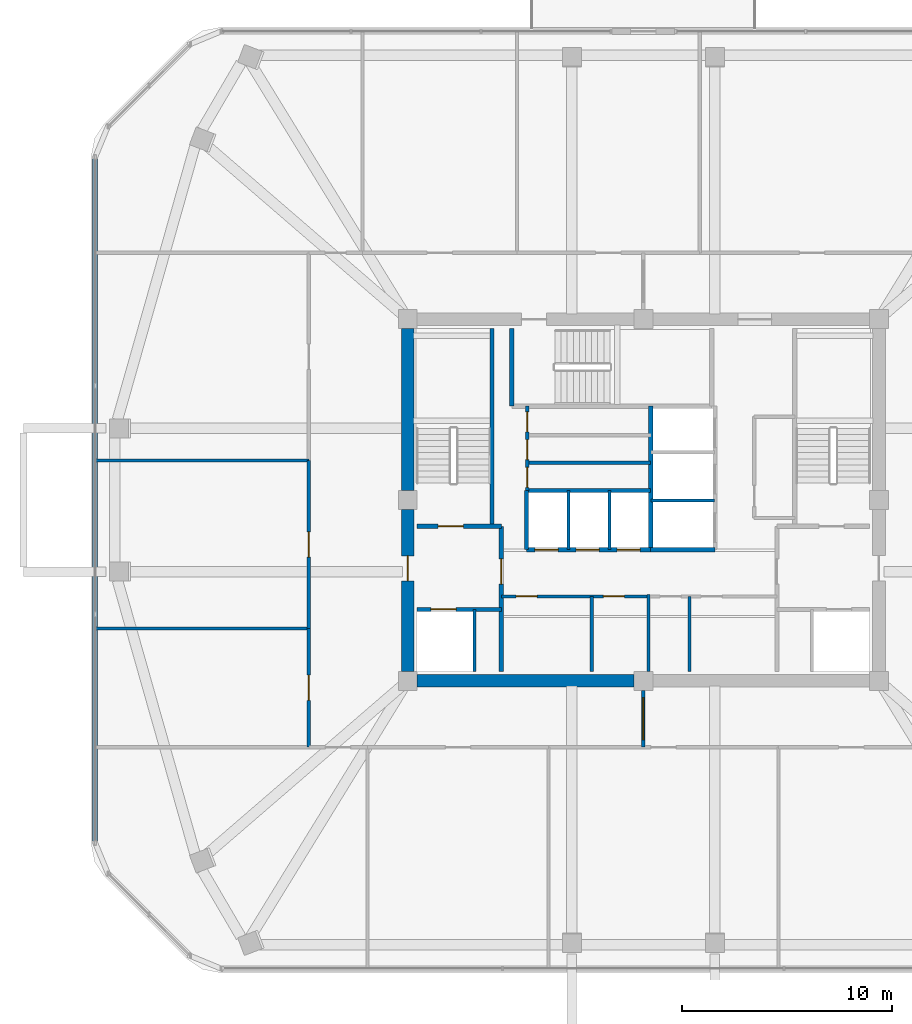
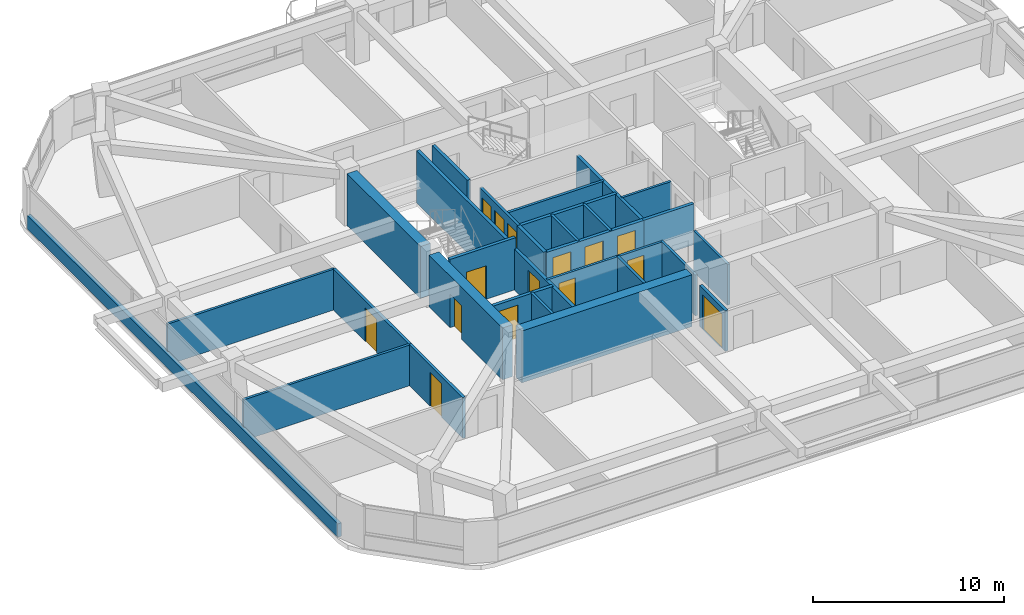
# One storey, part 9 of 14: 29 walls, 15 doors, 15 openings.
"""IFC4 building model written with IfcOpenShell, lengths in metres."""

from ifc_helpers import new_model, si_unit, derived_unit, direction, frame, frame_2d, origin, place, context, subcontext, project, spatial, rectangle, extrude, material, layer, layer_set, type_object, element, fill, save


model = new_model("IFC4")

# Units and contexts
model_context = context("Model", 3, precision=1e-05, world=origin(), true_north=direction((0.0, 1.0)))
body_context = subcontext(model_context, "Body", "Model", "MODEL_VIEW")
ifc_project = project(units=[si_unit("LENGTHUNIT", "METRE"), si_unit("AREAUNIT", "SQUARE_METRE"), si_unit("VOLUMEUNIT", "CUBIC_METRE"), si_unit("PLANEANGLEUNIT", "RADIAN"), si_unit("MASSUNIT", "GRAM", prefix="KILO"), derived_unit("THERMALTRANSMITTANCEUNIT", [(si_unit("POWERUNIT", "WATT"), 1), (si_unit("LENGTHUNIT", "METRE"), -2), (si_unit("THERMODYNAMICTEMPERATUREUNIT", "KELVIN"), -1)])], contexts=[model_context])

# Site, building, storey
site_placement = place(None, origin())
site = spatial("IfcSite", under=ifc_project, at=site_placement, CompositionType="ELEMENT")
building_placement = place(site_placement, origin())
building = spatial("IfcBuilding", under=site, at=building_placement, Name="Koralith Skygarden Medical Center", CompositionType="ELEMENT")
storey_placement = place(building_placement, frame((0.0, 0.0, 210.780029296875)))
storey = spatial("IfcBuildingStorey", under=building, at=storey_placement, Name="L54", CompositionType="ELEMENT", Elevation=210.780029296875)

# Wall, openings, doors
ifc_material_1 = material(Name="Gypsum Board Partition")
ifc_layer_1 = layer(ifc_material_1, 0.14990234375)
ifc_layer_set_1 = layer_set([ifc_layer_1], Name="Gypsum Board Partition")
wall_type_1 = type_object("IfcWallType", Name="Clinical Acoustic Partition 150", PredefinedType="PARTITIONING", material=ifc_layer_set_1)
wall_1_placement = place(storey_placement, frame((30.25, 21.320068359375, 0.0), z_axis=(0.0, 0.0, 1.0), x_axis=(1.0, 0.0, 0.0)))
wall_1 = element("IfcWall", 1, at=wall_1_placement, inside=storey, type_object=wall_type_1, Name="L54 Clinical Acoustic Partition 150 W-CORE-L54-FREED-LR-N", PredefinedType="PARTITIONING", context=body_context, shape_type="SweptSolid", body=[
    extrude(rectangle(XDim=7.0, YDim=0.14990234375, at=frame_2d((3.5, 0.0))), origin(), (0.0, 0.0, 1.0), 2.60986328125),
])
opening_1_placement = place(wall_1_placement, frame((0.699951171875, 0.0, 0.0)))
opening_1 = element("IfcOpeningElement", 2, at=opening_1_placement, cuts=wall_1, Name="Opening D-SUP", PredefinedType="OPENING", context=body_context, shape_type="SweptSolid", body=[
    extrude(rectangle(XDim=1.0, YDim=2.14990234375, at=frame_2d((0.5, 1.074951171875))), frame((0.0, 0.0849609375, 0.0), z_axis=(0.0, -1.0, 0.0), x_axis=(1.0, 0.0, 0.0)), (0.0, 0.0, 1.0), 0.169921875),
])
opening_2_placement = place(wall_1_placement, frame((4.85009765625, 0.0, 0.0)))
opening_2 = element("IfcOpeningElement", 3, at=opening_2_placement, cuts=wall_1, Name="Opening D-SUP", PredefinedType="OPENING", context=body_context, shape_type="SweptSolid", body=[
    extrude(rectangle(XDim=1.0, YDim=2.14990234375, at=frame_2d((0.5, 1.074951171875))), frame((0.0, 0.0849609375, 0.0), z_axis=(0.0, -1.0, 0.0), x_axis=(1.0, 0.0, 0.0)), (0.0, 0.0, 1.0), 0.169921875),
])
ifc_material_2 = material(Name="Aluminium 6063-T6", Category="aluminium")
door_type_1 = type_object("IfcDoorType", Name="Clinical Support Door D-SUP 1000", OperationType="NOTDEFINED", PredefinedType="DOOR", material=ifc_material_2)
door_1_placement = place(opening_1_placement, frame((1.0, 0.0, 0.0), z_axis=(0.0, 0.0, 1.0), x_axis=(-1.0, 0.0, 0.0)))
door_1 = element("IfcDoor", 4, at=door_1_placement, inside=storey, type_object=door_type_1, Name="L54 Medication Preparation Door", OperationType="SINGLE_SWING_LEFT", OverallHeight=2.14990234375, OverallWidth=1.0, PredefinedType="DOOR", context=body_context, shape_type="SweptSolid", body=[
    extrude(rectangle(XDim=1.0, YDim=2.14990234375, at=frame_2d((0.5, 1.074951171875))), frame((0.0, 0.02490234375, 0.0), z_axis=(0.0, -1.0, 0.0), x_axis=(1.0, 0.0, 0.0)), (0.0, 0.0, 1.0), 0.050048828125),
])
fill(opening_1, door_1)
door_2_placement = place(opening_2_placement, frame((1.0, 0.0, 0.0), z_axis=(0.0, 0.0, 1.0), x_axis=(-1.0, 0.0, 0.0)))
door_2 = element("IfcDoor", 5, at=door_2_placement, inside=storey, type_object=door_type_1, Name="L54 Telemetry Room Door", OperationType="SINGLE_SWING_RIGHT", OverallHeight=2.14990234375, OverallWidth=1.0, PredefinedType="DOOR", context=body_context, shape_type="SweptSolid", body=[
    extrude(rectangle(XDim=1.0, YDim=2.14990234375, at=frame_2d((0.5, 1.074951171875))), frame((0.0, 0.02490234375, 0.0), z_axis=(0.0, -1.0, 0.0), x_axis=(1.0, 0.0, 0.0)), (0.0, 0.0, 1.0), 0.050048828125),
])
fill(opening_2, door_2)

# Walls
for number, where, z_axis, x_axis, name in (
    (6, (34.550048828125, 17.75, 0.0), (0.0, 0.0, 1.0), (0.0, 1.0, 0.0), "L54 Clinical Acoustic Partition 150 W-CORE-L54-FREED-LR-M"),
    (7, (39.199951171875, 17.75, 0.0), (0.0, 0.0, 1.0), (0.0, 1.0, 0.0), "L54 Clinical Acoustic Partition 150 W-CORE-L54-FREED-MR-M"),
):
    element("IfcWall", number, at=place(storey_placement, frame(where, z_axis=z_axis, x_axis=x_axis)), inside=storey, type_object=wall_type_1, Name=name, PredefinedType="PARTITIONING", context=body_context, shape_type="SweptSolid", body=[
        extrude(rectangle(XDim=3.570068359375, YDim=0.14990234375, at=frame_2d((1.78515625, 0.0))), origin(), (0.0, 0.0, 1.0), 2.60986328125),
    ])
for number, where, z_axis, x_axis, name in (
    (8, (21.10009765625, 19.7900390625, 0.0), (0.0, 0.0, 1.0), (-1.0, 0.0, 0.0), "L54 Clinical Acoustic Partition 150 W-PART-L54-W-01"),
    (9, (21.10009765625, 27.780029296875, 0.0), (0.0, 0.0, 1.0), (-1.0, 0.0, 0.0), "L54 Clinical Acoustic Partition 150 W-PART-L54-W-02"),
):
    element("IfcWall", number, at=place(storey_placement, frame(where, z_axis=z_axis, x_axis=x_axis)), inside=storey, type_object=wall_type_1, Name=name, PredefinedType="PARTITIONING", context=body_context, shape_type="SweptSolid", body=[
        extrude(rectangle(XDim=10.135009765625, YDim=0.14990234375, at=frame_2d((5.0673828125, 0.0))), origin(), (0.0, 0.0, 1.0), 2.60986328125),
    ])

# Wall, opening, door
ifc_layer_2 = layer(ifc_material_1, 0.1650390625)
ifc_layer_set_2 = layer_set([ifc_layer_2], Name="Gypsum Board Partition")
wall_type_2 = type_object("IfcWallType", Name="Clinical Corridor Partition 165", PredefinedType="PARTITIONING", material=ifc_layer_set_2)
wall_2_placement = place(storey_placement, frame((21.10009765625, 14.14990234375, 0.0), z_axis=(0.0, 0.0, 1.0), x_axis=(0.0, 1.0, 0.0)))
wall_2 = element("IfcWall", 10, at=wall_2_placement, inside=storey, type_object=wall_type_2, Name="L54 Clinical Corridor Partition 165 W-CORR-L54-W-01", PredefinedType="PARTITIONING", context=body_context, shape_type="SweptSolid", body=[
    extrude(rectangle(XDim=5.64013671875, YDim=0.1650390625, at=frame_2d((2.820068359375, 0.0))), origin(), (0.0, 0.0, 1.0), 2.60986328125),
])
opening_3_placement = place(wall_2_placement, frame((2.219970703125, 0.0, 0.0)))
opening_3 = element("IfcOpeningElement", 11, at=opening_3_placement, cuts=wall_2, Name="Opening D-CLN", PredefinedType="OPENING", context=body_context, shape_type="SweptSolid", body=[
    extrude(rectangle(XDim=1.199951171875, YDim=2.14990234375, at=frame_2d((0.60009765625, 1.074951171875))), frame((0.0, 0.092529296875, 0.0), z_axis=(0.0, -1.0, 0.0), x_axis=(1.0, 0.0, 0.0)), (0.0, 0.0, 1.0), 0.18505859375),
])
door_type_2 = type_object("IfcDoorType", Name="Clinical Corridor Door D-CLN 1200", OperationType="NOTDEFINED", PredefinedType="DOOR", material=ifc_material_2)
door_3_placement = place(opening_3_placement, frame((1.199951171875, 0.0, 0.0), z_axis=(0.0, 0.0, 1.0), x_axis=(-1.0, 0.0, 0.0)))
door_3 = element("IfcDoor", 12, at=door_3_placement, inside=storey, type_object=door_type_2, Name="L54 Sterile Catheter Supply Store 11 Door", OperationType="SINGLE_SWING_RIGHT", OverallHeight=2.14990234375, OverallWidth=1.199951171875, PredefinedType="DOOR", context=body_context, shape_type="SweptSolid", body=[
    extrude(rectangle(XDim=1.199951171875, YDim=2.14990234375, at=frame_2d((0.60009765625, 1.074951171875))), frame((0.0, 0.02490234375, 0.0), z_axis=(0.0, -1.0, 0.0), x_axis=(1.0, 0.0, 0.0)), (0.0, 0.0, 1.0), 0.050048828125),
])
fill(opening_3, door_3)

wall_3_placement = place(storey_placement, frame((21.10009765625, 19.7900390625, 0.0), z_axis=(0.0, 0.0, 1.0), x_axis=(0.0, 1.0, 0.0)))
wall_3 = element("IfcWall", 13, at=wall_3_placement, inside=storey, type_object=wall_type_2, Name="L54 Clinical Corridor Partition 165 W-CORR-L54-W-02", PredefinedType="PARTITIONING", context=body_context, shape_type="SweptSolid", body=[
    extrude(rectangle(XDim=7.989990234375, YDim=0.1650390625, at=frame_2d((3.9951171875, 0.0))), origin(), (0.0, 0.0, 1.0), 2.60986328125),
])
opening_4_placement = place(wall_3_placement, frame((3.39501953125, 0.0, 0.0)))
opening_4 = element("IfcOpeningElement", 14, at=opening_4_placement, cuts=wall_3, Name="Opening D-CLN", PredefinedType="OPENING", context=body_context, shape_type="SweptSolid", body=[
    extrude(rectangle(XDim=1.199951171875, YDim=2.14990234375, at=frame_2d((0.60009765625, 1.074951171875))), frame((0.0, 0.092529296875, 0.0), z_axis=(0.0, -1.0, 0.0), x_axis=(1.0, 0.0, 0.0)), (0.0, 0.0, 1.0), 0.18505859375),
])
door_4_placement = place(opening_4_placement, frame((1.199951171875, 0.0, 0.0), z_axis=(0.0, 0.0, 1.0), x_axis=(-1.0, 0.0, 0.0)))
door_4 = element("IfcDoor", 15, at=door_4_placement, inside=storey, type_object=door_type_2, Name="L54 Clinical Trials Huddle Room 12 Door", OperationType="SINGLE_SWING_LEFT", OverallHeight=2.14990234375, OverallWidth=1.199951171875, PredefinedType="DOOR", context=body_context, shape_type="SweptSolid", body=[
    extrude(rectangle(XDim=1.199951171875, YDim=2.14990234375, at=frame_2d((0.60009765625, 1.074951171875))), frame((0.0, 0.02490234375, 0.0), z_axis=(0.0, -1.0, 0.0), x_axis=(1.0, 0.0, 0.0)), (0.0, 0.0, 1.0), 0.050048828125),
])
fill(opening_4, door_4)

ifc_layer_3 = layer(ifc_material_1, 0.199951171875)
ifc_layer_set_3 = layer_set([ifc_layer_3], Name="Gypsum Board Partition")
wall_type_3 = type_object("IfcWallType", Name="Fire Shaft Wall 200", PredefinedType="SOLIDWALL", material=ifc_layer_set_3)
wall_4_placement = place(storey_placement, frame((26.25, 20.699951171875, 0.0), z_axis=(0.0, 0.0, 1.0), x_axis=(1.0, 0.0, 0.0)))
wall_4 = element("IfcWall", 16, at=wall_4_placement, inside=storey, type_object=wall_type_3, Name="L54 Fire Shaft Wall 200 W-CORE-L54-FF1-N", PredefinedType="SOLIDWALL", context=body_context, shape_type="SweptSolid", body=[
    extrude(rectangle(XDim=4.0, YDim=0.199951171875, at=frame_2d((2.0, 0.0))), origin(), (0.0, 0.0, 1.0), 2.60986328125),
])
opening_5_placement = place(wall_4_placement, frame((0.64990234375, 0.0, 0.0)))
opening_5 = element("IfcOpeningElement", 17, at=opening_5_placement, cuts=wall_4, Name="Opening LD-FF", PredefinedType="OPENING", context=body_context, shape_type="SweptSolid", body=[
    extrude(rectangle(XDim=1.199951171875, YDim=2.14990234375, at=frame_2d((0.60009765625, 1.074951171875))), frame((0.0, 0.10986328125, 0.0), z_axis=(0.0, -1.0, 0.0), x_axis=(1.0, 0.0, 0.0)), (0.0, 0.0, 1.0), 0.219970703125),
])
ifc_material_3 = material(Name="Steel ASTM A500 Grade C", Category="steel")
door_type_3 = type_object("IfcDoorType", Name="Fire Lift Sliding Landing Door LD-FF 1200", OperationType="NOTDEFINED", PredefinedType="DOOR", material=ifc_material_3)
door_5_placement = place(opening_5_placement, origin())
door_5 = element("IfcDoor", 18, at=door_5_placement, inside=storey, type_object=door_type_3, Name="L54 Fire Service Elevator FF1 Landing Door", OperationType="SLIDING_TO_LEFT", OverallHeight=2.14990234375, OverallWidth=1.199951171875, PredefinedType="DOOR", context=body_context, shape_type="SweptSolid", body=[
    extrude(rectangle(XDim=1.199951171875, YDim=2.14990234375, at=frame_2d((0.60009765625, 1.074951171875))), frame((0.0, 0.02490234375, 0.0), z_axis=(0.0, -1.0, 0.0), x_axis=(1.0, 0.0, 0.0)), (0.0, 0.0, 1.0), 0.050048828125),
])
fill(opening_5, door_5)

wall_5_placement = place(storey_placement, frame((30.25, 17.75, 0.0), z_axis=(0.0, 0.0, 1.0), x_axis=(0.0, 1.0, 0.0)))
wall_5 = element("IfcWall", 19, at=wall_5_placement, inside=storey, type_object=wall_type_3, Name="L54 Fire Shaft Wall 200 W-CORE-L54-FSAEW-E", PredefinedType="SOLIDWALL", context=body_context, shape_type="SweptSolid", body=[
    extrude(rectangle(XDim=6.89990234375, YDim=0.199951171875, at=frame_2d((3.449951171875, 0.0))), origin(), (0.0, 0.0, 1.0), 2.60986328125),
])
opening_6_placement = place(wall_5_placement, frame((4.14990234375, 0.0, 0.0)))
opening_6 = element("IfcOpeningElement", 20, at=opening_6_placement, cuts=wall_5, Name="Opening D-ST60", PredefinedType="OPENING", context=body_context, shape_type="SweptSolid", body=[
    extrude(rectangle(XDim=1.199951171875, YDim=2.14990234375, at=frame_2d((0.60009765625, 1.074951171875))), frame((0.0, 0.10986328125, 0.0), z_axis=(0.0, -1.0, 0.0), x_axis=(1.0, 0.0, 0.0)), (0.0, 0.0, 1.0), 0.219970703125),
])
door_type_4 = type_object("IfcDoorType", Name="Smokeproof Stair Fire Door FD60S 1200", OperationType="NOTDEFINED", PredefinedType="DOOR", material=ifc_material_3)
door_6_placement = place(opening_6_placement, origin())
door_6 = element("IfcDoor", 21, at=door_6_placement, inside=storey, type_object=door_type_4, Name="L54 West Firefighting Lobby Inner Fire Door", OperationType="SINGLE_SWING_LEFT", OverallHeight=2.14990234375, OverallWidth=1.199951171875, PredefinedType="DOOR", context=body_context, shape_type="SweptSolid", body=[
    extrude(rectangle(XDim=1.199951171875, YDim=2.14990234375, at=frame_2d((0.60009765625, 1.074951171875))), frame((0.0, 0.02490234375, 0.0), z_axis=(0.0, -1.0, 0.0), x_axis=(1.0, 0.0, 0.0)), (0.0, 0.0, 1.0), 0.050048828125),
])
fill(opening_6, door_6)

# Wall, openings, doors
wall_6_placement = place(storey_placement, frame((31.449951171875, 23.5400390625, 0.0), z_axis=(0.0, 0.0, 1.0), x_axis=(1.0, 0.0, 0.0)))
wall_6 = element("IfcWall", 22, at=wall_6_placement, inside=storey, type_object=wall_type_3, Name="L54 Fire Shaft Wall 200 W-CORE-L54-PH-S", PredefinedType="SOLIDWALL", context=body_context, shape_type="SweptSolid", body=[
    extrude(rectangle(XDim=5.900146484375, YDim=0.199951171875, at=frame_2d((2.9501953125, 0.0))), origin(), (0.0, 0.0, 1.0), 2.60986328125),
])
opening_7_placement = place(wall_6_placement, frame((0.39990234375, 0.0, 0.0)))
opening_7 = element("IfcOpeningElement", 23, at=opening_7_placement, cuts=wall_6, Name="Opening LD-P", PredefinedType="OPENING", context=body_context, shape_type="SweptSolid", body=[
    extrude(rectangle(XDim=1.10009765625, YDim=2.14990234375, at=frame_2d((0.550048828125, 1.074951171875))), frame((0.0, 0.10986328125, 0.0), z_axis=(0.0, -1.0, 0.0), x_axis=(1.0, 0.0, 0.0)), (0.0, 0.0, 1.0), 0.219970703125),
])
opening_8_placement = place(wall_6_placement, frame((2.35009765625, 0.0, 0.0)))
opening_8 = element("IfcOpeningElement", 24, at=opening_8_placement, cuts=wall_6, Name="Opening LD-P", PredefinedType="OPENING", context=body_context, shape_type="SweptSolid", body=[
    extrude(rectangle(XDim=1.10009765625, YDim=2.14990234375, at=frame_2d((0.550048828125, 1.074951171875))), frame((0.0, 0.10986328125, 0.0), z_axis=(0.0, -1.0, 0.0), x_axis=(1.0, 0.0, 0.0)), (0.0, 0.0, 1.0), 0.219970703125),
])
opening_9_placement = place(wall_6_placement, frame((4.300048828125, 0.0, 0.0)))
opening_9 = element("IfcOpeningElement", 25, at=opening_9_placement, cuts=wall_6, Name="Opening LD-P", PredefinedType="OPENING", context=body_context, shape_type="SweptSolid", body=[
    extrude(rectangle(XDim=1.10009765625, YDim=2.14990234375, at=frame_2d((0.550048828125, 1.074951171875))), frame((0.0, 0.10986328125, 0.0), z_axis=(0.0, -1.0, 0.0), x_axis=(1.0, 0.0, 0.0)), (0.0, 0.0, 1.0), 0.219970703125),
])
door_type_5 = type_object("IfcDoorType", Name="Passenger Lift Sliding Landing Door LD-P 1100", OperationType="NOTDEFINED", PredefinedType="DOOR", material=ifc_material_3)
door_7_placement = place(opening_7_placement, origin())
door_7 = element("IfcDoor", 26, at=door_7_placement, inside=storey, type_object=door_type_5, Name="L54 Passenger Elevator PH1 Landing Door", OperationType="SLIDING_TO_RIGHT", OverallHeight=2.14990234375, OverallWidth=1.10009765625, PredefinedType="DOOR", context=body_context, shape_type="SweptSolid", body=[
    extrude(rectangle(XDim=1.10009765625, YDim=2.14990234375, at=frame_2d((0.550048828125, 1.074951171875))), frame((0.0, 0.02490234375, 0.0), z_axis=(0.0, -1.0, 0.0), x_axis=(1.0, 0.0, 0.0)), (0.0, 0.0, 1.0), 0.050048828125),
])
fill(opening_7, door_7)
door_8_placement = place(opening_8_placement, origin())
door_8 = element("IfcDoor", 27, at=door_8_placement, inside=storey, type_object=door_type_5, Name="L54 Passenger Elevator PH2 Landing Door", OperationType="SLIDING_TO_RIGHT", OverallHeight=2.14990234375, OverallWidth=1.10009765625, PredefinedType="DOOR", context=body_context, shape_type="SweptSolid", body=[
    extrude(rectangle(XDim=1.10009765625, YDim=2.14990234375, at=frame_2d((0.550048828125, 1.074951171875))), frame((0.0, 0.02490234375, 0.0), z_axis=(0.0, -1.0, 0.0), x_axis=(1.0, 0.0, 0.0)), (0.0, 0.0, 1.0), 0.050048828125),
])
fill(opening_8, door_8)
door_9_placement = place(opening_9_placement, origin())
door_9 = element("IfcDoor", 28, at=door_9_placement, inside=storey, type_object=door_type_5, Name="L54 Passenger Elevator PH3 Landing Door", OperationType="SLIDING_TO_RIGHT", OverallHeight=2.14990234375, OverallWidth=1.10009765625, PredefinedType="DOOR", context=body_context, shape_type="SweptSolid", body=[
    extrude(rectangle(XDim=1.10009765625, YDim=2.14990234375, at=frame_2d((0.550048828125, 1.074951171875))), frame((0.0, 0.02490234375, 0.0), z_axis=(0.0, -1.0, 0.0), x_axis=(1.0, 0.0, 0.0)), (0.0, 0.0, 1.0), 0.050048828125),
])
fill(opening_9, door_9)

# Walls
wall_7_placement = place(storey_placement, frame((31.449951171875, 26.35009765625, 0.0), z_axis=(0.0, 0.0, 1.0), x_axis=(1.0, 0.0, 0.0)))
element("IfcWall", 29, at=wall_7_placement, inside=storey, type_object=wall_type_3, Name="L54 Fire Shaft Wall 200 W-CORE-L54-PH-N", PredefinedType="SOLIDWALL", context=body_context, shape_type="SweptSolid", body=[
    extrude(rectangle(XDim=5.900146484375, YDim=0.199951171875, at=frame_2d((2.9501953125, 0.0))), origin(), (0.0, 0.0, 1.0), 2.60986328125),
])
wall_8_placement = place(storey_placement, frame((31.449951171875, 23.5400390625, 0.0), z_axis=(0.0, 0.0, 1.0), x_axis=(0.0, 1.0, 0.0)))
element("IfcWall", 30, at=wall_8_placement, inside=storey, type_object=wall_type_3, Name="L54 Fire Shaft Wall 200 W-CORE-L54-PH-W", PredefinedType="SOLIDWALL", context=body_context, shape_type="SweptSolid", body=[
    extrude(rectangle(XDim=2.81005859375, YDim=0.199951171875, at=frame_2d((1.405029296875, 0.0))), origin(), (0.0, 0.0, 1.0), 2.60986328125),
])
wall_9_placement = place(storey_placement, frame((37.35009765625, 23.5400390625, 0.0), z_axis=(0.0, 0.0, 1.0), x_axis=(0.0, 1.0, 0.0)))
element("IfcWall", 31, at=wall_9_placement, inside=storey, type_object=wall_type_3, Name="L54 Fire Shaft Wall 200 W-CORE-L54-SV-W", PredefinedType="SOLIDWALL", context=body_context, shape_type="SweptSolid", body=[
    extrude(rectangle(XDim=6.820068359375, YDim=0.199951171875, at=frame_2d((3.41015625, 0.0))), origin(), (0.0, 0.0, 1.0), 2.60986328125),
])
wall_10_placement = place(storey_placement, frame((37.35009765625, 23.5400390625, 0.0), z_axis=(0.0, 0.0, 1.0), x_axis=(1.0, 0.0, 0.0)))
element("IfcWall", 32, at=wall_10_placement, inside=storey, type_object=wall_type_3, Name="L54 Fire Shaft Wall 200 W-CORE-L54-SV-S", PredefinedType="SOLIDWALL", context=body_context, shape_type="SweptSolid", body=[
    extrude(rectangle(XDim=3.0498046875, YDim=0.199951171875, at=frame_2d((1.52490234375, 0.0))), origin(), (0.0, 0.0, 1.0), 2.60986328125),
])

# Wall, opening, door
ifc_layer_4 = layer(ifc_material_1, 0.179931640625)
ifc_layer_set_4 = layer_set([ifc_layer_4], Name="Gypsum Board Partition")
wall_type_4 = type_object("IfcWallType", Name="Group I-2 Smoke Barrier Wall 180", PredefinedType="PARTITIONING", material=ifc_layer_set_4)
wall_11_placement = place(storey_placement, frame((37.0, 14.14990234375, 0.0), z_axis=(0.0, 0.0, 1.0), x_axis=(0.0, 1.0, 0.0)))
wall_11 = element("IfcWall", 33, at=wall_11_placement, inside=storey, type_object=wall_type_4, Name="L54 Group I-2 Smoke Barrier Wall 180 W-SMK-L54-S", PredefinedType="PARTITIONING", context=body_context, shape_type="SweptSolid", body=[
    extrude(rectangle(XDim=2.7001953125, YDim=0.179931640625, at=frame_2d((1.35009765625, 0.0))), origin(), (0.0, 0.0, 1.0), 2.60986328125),
])
opening_10_placement = place(wall_11_placement, frame((0.35009765625, 0.0, 0.0)))
opening_10 = element("IfcOpeningElement", 34, at=opening_10_placement, cuts=wall_11, Name="Opening D-SMK", PredefinedType="OPENING", context=body_context, shape_type="SweptSolid", body=[
    extrude(rectangle(XDim=2.0, YDim=2.199951171875, at=frame_2d((1.0, 1.10009765625))), frame((0.0, 0.099853515625, 0.0), z_axis=(0.0, -1.0, 0.0), x_axis=(1.0, 0.0, 0.0)), (0.0, 0.0, 1.0), 0.199951171875),
])
door_type_6 = type_object("IfcDoorType", Name="Cross-Corridor Double Smoke Door FD60S 2000", OperationType="NOTDEFINED", PredefinedType="DOOR", material=ifc_material_3)
door_10_placement = place(opening_10_placement, frame((2.0, 0.0, 0.0), z_axis=(0.0, 0.0, 1.0), x_axis=(-1.0, 0.0, 0.0)))
door_10 = element("IfcDoor", 35, at=door_10_placement, inside=storey, type_object=door_type_6, Name="L54 S Smoke Compartment Cross-Corridor Door", OperationType="DOUBLE_DOOR_SINGLE_SWING", OverallHeight=2.199951171875, OverallWidth=2.0, PredefinedType="DOOR", context=body_context, shape_type="SweptSolid", body=[
    extrude(rectangle(XDim=2.0, YDim=2.199951171875, at=frame_2d((1.0, 1.10009765625))), frame((0.0, 0.02490234375, 0.0), z_axis=(0.0, -1.0, 0.0), x_axis=(1.0, 0.0, 0.0)), (0.0, 0.0, 1.0), 0.050048828125),
])
fill(opening_10, door_10)

# Wall
ifc_material_4 = material(Name="Warm Oolitic Limestone Cladding", Category="masonry")
ifc_layer_5 = layer(ifc_material_4, 0.239990234375)
ifc_layer_set_5 = layer_set([ifc_layer_5], Name="Warm Oolitic Limestone Cladding")
wall_type_5 = type_object("IfcWallType", Name="Limestone Spandrel Sill Backup Wall 240", PredefinedType="SOLIDWALL", material=ifc_layer_set_5)
wall_12_placement = place(storey_placement, frame((10.945068359375, 42.197998046875, 0.0), z_axis=(0.0, 0.0, 1.0), x_axis=(0.0, -1.0, 0.0)))
element("IfcWall", 36, at=wall_12_placement, inside=storey, type_object=wall_type_5, Name="L54 Sill Spandrel W", PredefinedType="SOLIDWALL", context=body_context, shape_type="SweptSolid", body=[
    extrude(rectangle(XDim=32.595947265625, YDim=0.239990234375, at=frame_2d((16.2978515625, 0.0))), origin(), (0.0, 0.0, 1.0), 0.849853515625),
])

# Wall, openings, doors
ifc_layer_6 = layer(ifc_material_1, 0.1650390625)
ifc_layer_set_6 = layer_set([ifc_layer_6], Name="Gypsum Board Partition")
wall_type_6 = type_object("IfcWallType", Name="Plumbing Wet Wall 165", PredefinedType="PLUMBINGWALL", material=ifc_layer_set_6)
wall_13_placement = place(storey_placement, frame((31.47998046875, 26.320068359375, 0.0), z_axis=(0.0, 0.0, 1.0), x_axis=(0.0, 1.0, 0.0)))
wall_13 = element("IfcWall", 37, at=wall_13_placement, inside=storey, type_object=wall_type_6, Name="L54 Plumbing Wet Wall 165 W-CORE-L54-FLEX-W", PredefinedType="PLUMBINGWALL", context=body_context, shape_type="SweptSolid", body=[
    extrude(rectangle(XDim=4.0400390625, YDim=0.1650390625, at=frame_2d((2.02001953125, 0.0))), origin(), (0.0, 0.0, 1.0), 2.60986328125),
])
opening_11_placement = place(wall_13_placement, frame((0.179931640625, 0.0, 0.0)))
opening_11 = element("IfcOpeningElement", 38, at=opening_11_placement, cuts=wall_13, Name="Opening D-WC", PredefinedType="OPENING", context=body_context, shape_type="SweptSolid", body=[
    extrude(rectangle(XDim=0.949951171875, YDim=2.10009765625, at=frame_2d((0.47509765625, 1.050048828125))), frame((0.0, 0.092529296875, 0.0), z_axis=(0.0, -1.0, 0.0), x_axis=(1.0, 0.0, 0.0)), (0.0, 0.0, 1.0), 0.18505859375),
])
opening_12_placement = place(wall_13_placement, frame((1.5, 0.0, 0.0)))
opening_12 = element("IfcOpeningElement", 39, at=opening_12_placement, cuts=wall_13, Name="Opening D-WC", PredefinedType="OPENING", context=body_context, shape_type="SweptSolid", body=[
    extrude(rectangle(XDim=0.949951171875, YDim=2.10009765625, at=frame_2d((0.47509765625, 1.050048828125))), frame((0.0, 0.092529296875, 0.0), z_axis=(0.0, -1.0, 0.0), x_axis=(1.0, 0.0, 0.0)), (0.0, 0.0, 1.0), 0.18505859375),
])
opening_13_placement = place(wall_13_placement, frame((2.820068359375, 0.0, 0.0)))
opening_13 = element("IfcOpeningElement", 40, at=opening_13_placement, cuts=wall_13, Name="Opening D-WC", PredefinedType="OPENING", context=body_context, shape_type="SweptSolid", body=[
    extrude(rectangle(XDim=0.949951171875, YDim=2.10009765625, at=frame_2d((0.47509765625, 1.050048828125))), frame((0.0, 0.092529296875, 0.0), z_axis=(0.0, -1.0, 0.0), x_axis=(1.0, 0.0, 0.0)), (0.0, 0.0, 1.0), 0.18505859375),
])
door_type_7 = type_object("IfcDoorType", Name="Accessible Toilet Door D-WC 950", OperationType="NOTDEFINED", PredefinedType="DOOR", material=ifc_material_2)
door_11_placement = place(opening_11_placement, frame((0.949951171875, 0.0, 0.0), z_axis=(0.0, 0.0, 1.0), x_axis=(-1.0, 0.0, 0.0)))
door_11 = element("IfcDoor", 41, at=door_11_placement, inside=storey, type_object=door_type_7, Name="L54 Core Accessible WC Door", OperationType="SINGLE_SWING_LEFT", OverallHeight=2.10009765625, OverallWidth=0.949951171875, PredefinedType="DOOR", context=body_context, shape_type="SweptSolid", body=[
    extrude(rectangle(XDim=0.949951171875, YDim=2.10009765625, at=frame_2d((0.47509765625, 1.050048828125))), frame((0.0, 0.02490234375, 0.0), z_axis=(0.0, -1.0, 0.0), x_axis=(1.0, 0.0, 0.0)), (0.0, 0.0, 1.0), 0.050048828125),
])
fill(opening_11, door_11)
door_12_placement = place(opening_12_placement, frame((0.949951171875, 0.0, 0.0), z_axis=(0.0, 0.0, 1.0), x_axis=(-1.0, 0.0, 0.0)))
door_12 = element("IfcDoor", 42, at=door_12_placement, inside=storey, type_object=door_type_7, Name="L54 Staff Pantry Door", OperationType="SINGLE_SWING_LEFT", OverallHeight=2.10009765625, OverallWidth=0.949951171875, PredefinedType="DOOR", context=body_context, shape_type="SweptSolid", body=[
    extrude(rectangle(XDim=0.949951171875, YDim=2.10009765625, at=frame_2d((0.47509765625, 1.050048828125))), frame((0.0, 0.02490234375, 0.0), z_axis=(0.0, -1.0, 0.0), x_axis=(1.0, 0.0, 0.0)), (0.0, 0.0, 1.0), 0.050048828125),
])
fill(opening_12, door_12)
door_13_placement = place(opening_13_placement, frame((0.949951171875, 0.0, 0.0), z_axis=(0.0, 0.0, 1.0), x_axis=(-1.0, 0.0, 0.0)))
door_13 = element("IfcDoor", 43, at=door_13_placement, inside=storey, type_object=door_type_7, Name="L54 IT Comms Door", OperationType="SINGLE_SWING_RIGHT", OverallHeight=2.10009765625, OverallWidth=0.949951171875, PredefinedType="DOOR", context=body_context, shape_type="SweptSolid", body=[
    extrude(rectangle(XDim=0.949951171875, YDim=2.10009765625, at=frame_2d((0.47509765625, 1.050048828125))), frame((0.0, 0.02490234375, 0.0), z_axis=(0.0, -1.0, 0.0), x_axis=(1.0, 0.0, 0.0)), (0.0, 0.0, 1.0), 0.050048828125),
])
fill(opening_13, door_13)

# Walls
wall_14_placement = place(storey_placement, frame((31.47998046875, 27.679931640625, 0.0), z_axis=(0.0, 0.0, 1.0), x_axis=(1.0, 0.0, 0.0)))
element("IfcWall", 44, at=wall_14_placement, inside=storey, type_object=wall_type_6, Name="L54 Plumbing Wet Wall 165 W-CORE-L54-FLEX-H1A", PredefinedType="PLUMBINGWALL", context=body_context, shape_type="SweptSolid", body=[
    extrude(rectangle(XDim=5.8701171875, YDim=0.1650390625, at=frame_2d((2.93505859375, 0.0))), origin(), (0.0, 0.0, 1.0), 2.60986328125),
])
ifc_layer_7 = layer(ifc_material_1, 0.14990234375)
ifc_layer_set_7 = layer_set([ifc_layer_7], Name="Gypsum Board Partition")
wall_type_7 = type_object("IfcWallType", Name="Shaft Partition Wall 150", PredefinedType="PARTITIONING", material=ifc_layer_set_7)
wall_15_placement = place(storey_placement, frame((28.969970703125, 17.75, 0.0), z_axis=(0.0, 0.0, 1.0), x_axis=(0.0, 1.0, 0.0)))
element("IfcWall", 45, at=wall_15_placement, inside=storey, type_object=wall_type_7, Name="L54 Shaft Partition Wall 150 W-CORE-L54-RSRW-DIV", PredefinedType="PARTITIONING", context=body_context, shape_type="SweptSolid", body=[
    extrude(rectangle(XDim=2.949951171875, YDim=0.14990234375, at=frame_2d((1.47509765625, 0.0))), origin(), (0.0, 0.0, 1.0), 2.60986328125),
])
wall_16_placement = place(storey_placement, frame((37.25, 17.75, 0.0), z_axis=(0.0, 0.0, 1.0), x_axis=(0.0, 1.0, 0.0)))
element("IfcWall", 46, at=wall_16_placement, inside=storey, type_object=wall_type_7, Name="L54 Shaft Partition Wall 150 W-CORE-L54-PL-PM-SEP", PredefinedType="PARTITIONING", context=body_context, shape_type="SweptSolid", body=[
    extrude(rectangle(XDim=3.64990234375, YDim=0.14990234375, at=frame_2d((1.824951171875, 0.0))), origin(), (0.0, 0.0, 1.0), 2.60986328125),
])
for number, where, z_axis, x_axis, name in (
    (47, (33.449951171875, 23.5400390625, 0.0), (0.0, 0.0, 1.0), (0.0, 1.0, 0.0), "L54 Shaft Partition Wall 150 W-CORE-L54-PH-D1"),
    (48, (35.39990234375, 23.5400390625, 0.0), (0.0, 0.0, 1.0), (0.0, 1.0, 0.0), "L54 Shaft Partition Wall 150 W-CORE-L54-PH-D2"),
):
    element("IfcWall", number, at=place(storey_placement, frame(where, z_axis=z_axis, x_axis=x_axis)), inside=storey, type_object=wall_type_7, Name=name, PredefinedType="PARTITIONING", context=body_context, shape_type="SweptSolid", body=[
        extrude(rectangle(XDim=2.81005859375, YDim=0.14990234375, at=frame_2d((1.405029296875, 0.0))), origin(), (0.0, 0.0, 1.0), 2.60986328125),
    ])
wall_17_placement = place(storey_placement, frame((37.3701171875, 25.8701171875, 0.0), z_axis=(0.0, 0.0, 1.0), x_axis=(1.0, 0.0, 0.0)))
element("IfcWall", 49, at=wall_17_placement, inside=storey, type_object=wall_type_7, Name="L54 Shaft Partition Wall 150 W-CORE-L54-SV-D1", PredefinedType="PARTITIONING", context=body_context, shape_type="SweptSolid", body=[
    extrude(rectangle(XDim=3.009765625, YDim=0.14990234375, at=frame_2d((1.5048828125, 0.0))), origin(), (0.0, 0.0, 1.0), 2.60986328125),
])
ifc_material_5 = material(Name="Concrete C45/55", Category="concrete")
ifc_layer_8 = layer(ifc_material_5, 0.199951171875)
ifc_layer_set_8 = layer_set([ifc_layer_8], Name="Concrete C45/55")
wall_type_8 = type_object("IfcWallType", Name="Structural Stair Shaft Wall 200", PredefinedType="SHEAR", material=ifc_layer_set_8)
wall_18_placement = place(storey_placement, frame((29.800048828125, 24.64990234375, 0.0), z_axis=(0.0, 0.0, 1.0), x_axis=(0.0, 1.0, 0.0)))
element("IfcWall", 50, at=wall_18_placement, inside=storey, type_object=wall_type_8, Name="L54 Structural Stair Shaft Wall 200 W-CORE-L54-ST1-E", PredefinedType="SHEAR", context=body_context, shape_type="SweptSolid", body=[
    extrude(rectangle(XDim=9.400146484375, YDim=0.199951171875, at=frame_2d((4.7001953125, 0.0))), origin(), (0.0, 0.0, 1.0), 3.320068359375),
])

# Wall, opening, door
wall_19_placement = place(storey_placement, frame((26.25, 24.64990234375, 0.0), z_axis=(0.0, 0.0, 1.0), x_axis=(1.0, 0.0, 0.0)))
wall_19 = element("IfcWall", 51, at=wall_19_placement, inside=storey, type_object=wall_type_8, Name="L54 Structural Stair Shaft Wall 200 W-CORE-L54-ST1-S", PredefinedType="SHEAR", context=body_context, shape_type="SweptSolid", body=[
    extrude(rectangle(XDim=4.0, YDim=0.199951171875, at=frame_2d((2.0, 0.0))), origin(), (0.0, 0.0, 1.0), 3.320068359375),
])
opening_14_placement = place(wall_19_placement, frame((1.0, 0.0, 0.0)))
opening_14 = element("IfcOpeningElement", 52, at=opening_14_placement, cuts=wall_19, Name="Opening D-ST60", PredefinedType="OPENING", context=body_context, shape_type="SweptSolid", body=[
    extrude(rectangle(XDim=1.199951171875, YDim=2.14990234375, at=frame_2d((0.60009765625, 1.074951171875))), frame((0.0, 0.10986328125, 0.0), z_axis=(0.0, -1.0, 0.0), x_axis=(1.0, 0.0, 0.0)), (0.0, 0.0, 1.0), 0.219970703125),
])
door_14_placement = place(opening_14_placement, origin())
door_14 = element("IfcDoor", 53, at=door_14_placement, inside=storey, type_object=door_type_4, Name="L54 Exit Stair ST1 Fire Door", OperationType="SINGLE_SWING_LEFT", OverallHeight=2.14990234375, OverallWidth=1.199951171875, PredefinedType="DOOR", context=body_context, shape_type="SweptSolid", body=[
    extrude(rectangle(XDim=1.199951171875, YDim=2.14990234375, at=frame_2d((0.60009765625, 1.074951171875))), frame((0.0, 0.02490234375, 0.0), z_axis=(0.0, -1.0, 0.0), x_axis=(1.0, 0.0, 0.0)), (0.0, 0.0, 1.0), 0.050048828125),
])
fill(opening_14, door_14)

# Walls
wall_20_placement = place(storey_placement, frame((30.75, 30.360107421875, 0.0), z_axis=(0.0, 0.0, 1.0), x_axis=(0.0, 1.0, 0.0)))
element("IfcWall", 54, at=wall_20_placement, inside=storey, type_object=wall_type_8, Name="L54 Structural Stair Shaft Wall 200 W-CORE-L54-ST3-W", PredefinedType="SHEAR", context=body_context, shape_type="SweptSolid", body=[
    extrude(rectangle(XDim=3.68994140625, YDim=0.199951171875, at=frame_2d((1.844970703125, 0.0))), origin(), (0.0, 0.0, 1.0), 3.320068359375),
])
ifc_material_6 = material(Name="Concrete C55/67", Category="concrete")
ifc_layer_9 = layer(ifc_material_6, 0.60009765625)
ifc_layer_set_9 = layer_set([ifc_layer_9], Name="Concrete C55/67")
wall_type_9 = type_object("IfcWallType", Name="Upper Core Shear Wall 600", PredefinedType="SHEAR", material=ifc_layer_set_9)
wall_21_placement = place(storey_placement, frame((26.2451171875, 17.300048828125, 0.0), z_axis=(0.0, 0.0, 1.0), x_axis=(1.0, 0.0, 0.0)))
element("IfcWall", 55, at=wall_21_placement, inside=storey, type_object=wall_type_9, Name="L54 Core Shear Wall Segment 1", PredefinedType="SHEAR", context=body_context, shape_type="SweptSolid", body=[
    extrude(rectangle(XDim=10.309814453125, YDim=0.60009765625, at=frame_2d((5.15478515625, 0.0))), origin(), (0.0, 0.0, 1.0), 3.320068359375),
])
wall_22_placement = place(storey_placement, frame((25.800048828125, 34.054931640625, 0.0), z_axis=(0.0, 0.0, 1.0), x_axis=(0.0, -1.0, 0.0)))
element("IfcWall", 56, at=wall_22_placement, inside=storey, type_object=wall_type_9, Name="L54 Core Shear Wall Segment 7", PredefinedType="SHEAR", context=body_context, shape_type="SweptSolid", body=[
    extrude(rectangle(XDim=7.7099609375, YDim=0.60009765625, at=frame_2d((3.85498046875, 0.0))), origin(), (0.0, 0.0, 1.0), 3.320068359375),
])

# Wall, opening, door
wall_23_placement = place(storey_placement, frame((25.800048828125, 25.455078125, 0.0), z_axis=(0.0, 0.0, 1.0), x_axis=(0.0, -1.0, 0.0)))
wall_23 = element("IfcWall", 57, at=wall_23_placement, inside=storey, type_object=wall_type_9, Name="L54 Core Shear Wall Segment 8", PredefinedType="SHEAR", context=body_context, shape_type="SweptSolid", body=[
    extrude(rectangle(XDim=7.7099609375, YDim=0.60009765625, at=frame_2d((3.85498046875, 0.0))), origin(), (0.0, 0.0, 1.0), 3.320068359375),
])
opening_15_placement = place(wall_23_placement, frame((2.205078125, 0.0, 0.0)))
opening_15 = element("IfcOpeningElement", 58, at=opening_15_placement, cuts=wall_23, Name="Opening D-ST60", PredefinedType="OPENING", context=body_context, shape_type="SweptSolid", body=[
    extrude(rectangle(XDim=1.199951171875, YDim=2.14990234375, at=frame_2d((0.60009765625, 1.074951171875))), frame((0.0, 0.31005859375, 0.0), z_axis=(0.0, -1.0, 0.0), x_axis=(1.0, 0.0, 0.0)), (0.0, 0.0, 1.0), 0.6201171875),
])
door_15_placement = place(opening_15_placement, frame((1.199951171875, 0.0, 0.0), z_axis=(0.0, 0.0, 1.0), x_axis=(-1.0, 0.0, 0.0)))
door_15 = element("IfcDoor", 59, at=door_15_placement, inside=storey, type_object=door_type_4, Name="L54 West Corridor to Firefighting Lobby Door", OperationType="SINGLE_SWING_LEFT", OverallHeight=2.14990234375, OverallWidth=1.199951171875, PredefinedType="DOOR", context=body_context, shape_type="SweptSolid", body=[
    extrude(rectangle(XDim=1.199951171875, YDim=2.14990234375, at=frame_2d((0.60009765625, 1.074951171875))), frame((0.0, 0.02490234375, 0.0), z_axis=(0.0, -1.0, 0.0), x_axis=(1.0, 0.0, 0.0)), (0.0, 0.0, 1.0), 0.050048828125),
])
fill(opening_15, door_15)

save(model, "model.ifc")
